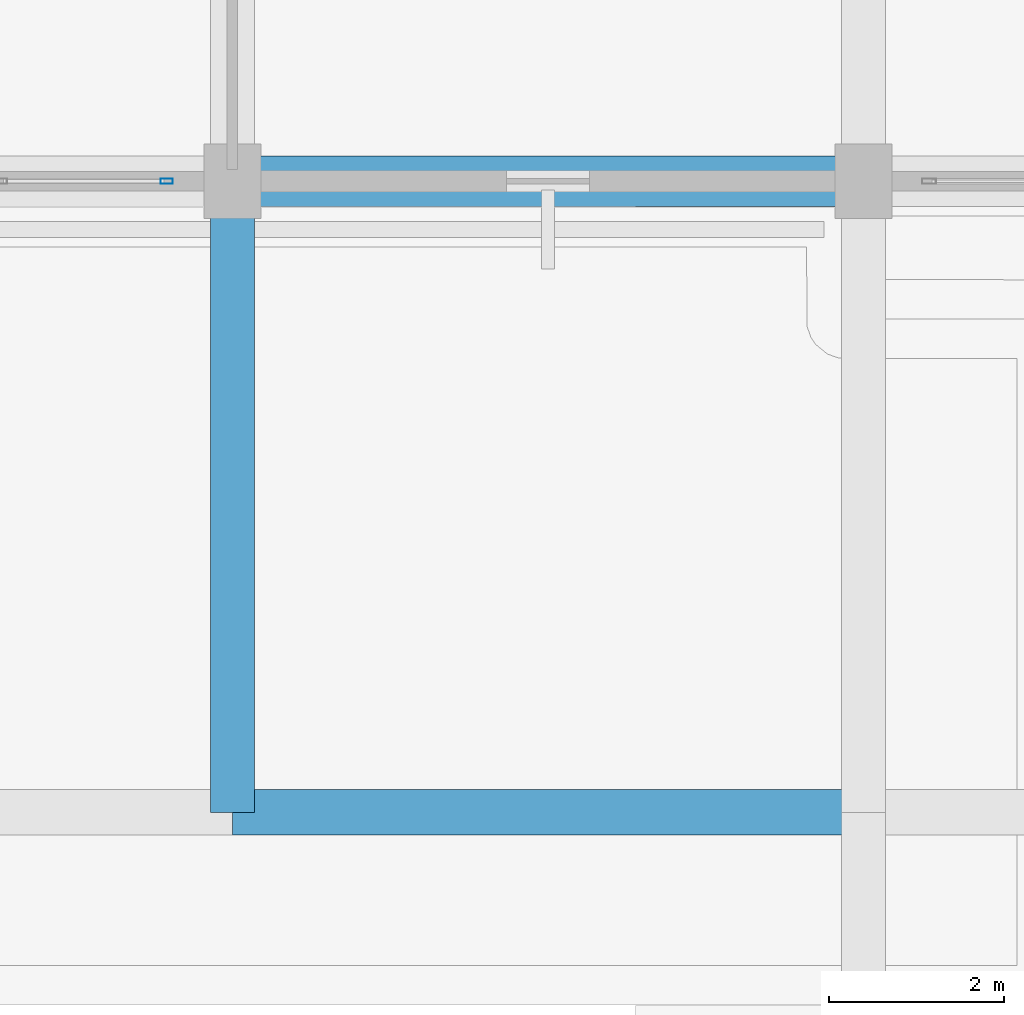
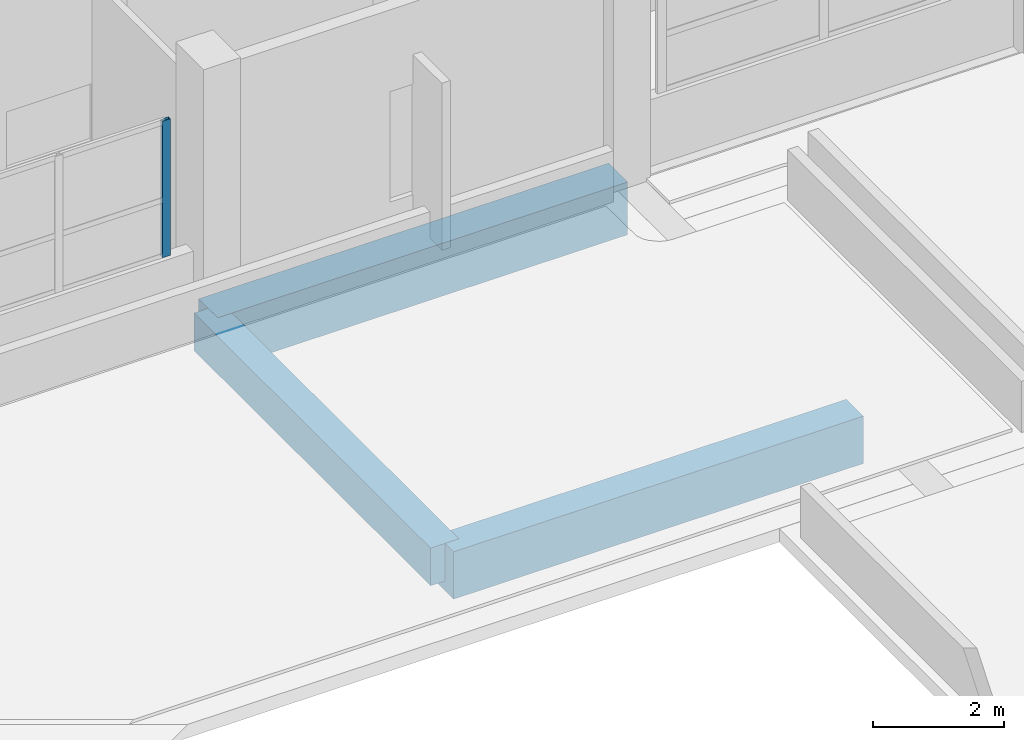
# One storey, part 96 of 140: 3 beams, 1 member, 1 element without a shape of its own.
"""IFC4 building model written with IfcOpenShell, lengths in metres."""

import ifcopenshell
import ifcopenshell.guid

model = None  # the IFC model being written
_history = None  # IfcOwnerHistory: only IFC2X3 demands one
_inside = {}  # id of a spatial element -> (the spatial element, [elements in it])
_under = {}  # id of a project, library or spatial element -> (it, [spatial elements below it])
_declared = {}  # id of a project -> (the project, [libraries it declares])
_typed = {}  # id of a type object -> (the type object, [elements of that type])
_made_of = {}  # id of a material, layer set ... -> (it, [elements and type objects made of it])


def new_model(schema):
    """Start an empty IFC model of exactly this schema.

    Asked for "IFC4X3", IfcOpenShell would pick the latest addendum, in which some entities
    have other attributes; the version numbers below select the first issue.
    IFC2X3 requires an IfcOwnerHistory on every rooted entity: one is made here for all.
    """
    global model, _history
    if schema == "IFC4X3":
        model = ifcopenshell.file(schema_version=(4, 3, 0, 0))
    else:
        model = ifcopenshell.file(schema=schema)
    _inside.clear()
    _under.clear()
    _declared.clear()
    _typed.clear()
    _made_of.clear()
    _history = None
    if model.schema == "IFC2X3":
        org = make("IfcOrganization", Name="unknown")
        user = make(
            "IfcPersonAndOrganization",
            ThePerson=make("IfcPerson", FamilyName="unknown"),
            TheOrganization=org,
        )
        app = make(
            "IfcApplication",
            ApplicationDeveloper=org,
            Version="unknown",
            ApplicationFullName="unknown",
            ApplicationIdentifier="unknown",
        )
        _history = make(
            "IfcOwnerHistory",
            OwningUser=user,
            OwningApplication=app,
            ChangeAction="ADDED",
            CreationDate=0,
        )
    return model


def make(cls, **values):
    """One entity of the class cls with the attributes given. An attribute that is None is left unset."""
    return model.create_entity(
        cls, **{name: value for name, value in values.items() if value is not None}
    )


def rooted(cls, **values):
    """An entity with a GlobalId (a new one), such as an element, a storey or a relation."""
    return make(cls, GlobalId=ifcopenshell.guid.new(), OwnerHistory=_history, **values)


def si_unit(unit_type, name, prefix=None):
    """IfcSIUnit, for example si_unit("LENGTHUNIT", "METRE", prefix="MILLI")."""
    return make("IfcSIUnit", UnitType=unit_type, Prefix=prefix, Name=name)


def assignment(units):
    """IfcUnitAssignment: the units of a project."""
    return None if units is None else make("IfcUnitAssignment", Units=units)


def point(xyz):
    """IfcCartesianPoint."""
    return None if xyz is None else make("IfcCartesianPoint", Coordinates=xyz)


def direction(xyz):
    """IfcDirection."""
    return None if xyz is None else make("IfcDirection", DirectionRatios=xyz)


def frame(location, z_axis=None, x_axis=None):
    """IfcAxis2Placement3D, a coordinate frame: its origin and axes. An axis left out is left unset."""
    return make(
        "IfcAxis2Placement3D",
        Location=point(location),
        Axis=direction(z_axis),
        RefDirection=direction(x_axis),
    )


def frame_2d(location, x_axis=None):
    """IfcAxis2Placement2D, a coordinate frame in the plane: its origin and x axis."""
    return make(
        "IfcAxis2Placement2D", Location=point(location), RefDirection=direction(x_axis)
    )


def origin():
    """The frame at (0, 0, 0) with its axes left unset."""
    return frame((0.0, 0.0, 0.0))


def origin_2d():
    """The frame at (0, 0) in the plane with its x axis left unset."""
    return frame_2d((0.0, 0.0))


def place(relative_to, where):
    """IfcLocalPlacement: puts the frame where relative to a parent placement (None: the world)."""
    return make(
        "IfcLocalPlacement", PlacementRelTo=relative_to, RelativePlacement=where
    )


def context(
    kind, dimensions, precision=None, world=None, true_north=None, identifier=None
):
    """IfcGeometricRepresentationContext, for example the 3D "Model" context."""
    return make(
        "IfcGeometricRepresentationContext",
        ContextIdentifier=identifier,
        ContextType=kind,
        CoordinateSpaceDimension=dimensions,
        Precision=precision,
        WorldCoordinateSystem=world,
        TrueNorth=true_north,
    )


def subcontext(parent, identifier, kind, view, scale=None):
    """IfcGeometricRepresentationSubContext, for example "Body" below "Model"."""
    return make(
        "IfcGeometricRepresentationSubContext",
        ContextIdentifier=identifier,
        ContextType=kind,
        ParentContext=parent,
        TargetScale=scale,
        TargetView=view,
    )


def project(units=None, contexts=None):
    """IfcProject with its units and contexts."""
    return rooted(
        "IfcProject",
        Name="project",
        RepresentationContexts=contexts,
        UnitsInContext=assignment(units),
    )


def spatial(cls, under=None, at=None, **own):
    """A site, building, storey or space (cls), placed at a placement, below another one or the project."""
    s = rooted(cls, ObjectPlacement=at, **own)
    if under is not None:
        _under.setdefault(under.id(), (under, []))[1].append(s)
    return s


def profile(cls, at=None, kind="AREA", **sizes):
    """A parametric profile (cls). Its sizes go by their IFC names, for example OverallWidth=200.0."""
    return make(cls, ProfileType=kind, Position=at, **sizes)


def rectangle(**sizes):
    """IfcRectangleProfileDef."""
    return profile("IfcRectangleProfileDef", **sizes)


def hollow_rectangle(**sizes):
    """IfcRectangleHollowProfileDef."""
    return profile("IfcRectangleHollowProfileDef", **sizes)


def extrude(swept, where, along, depth):
    """IfcExtrudedAreaSolid: the profile swept, set in the frame where, extruded along a direction by depth."""
    return make(
        "IfcExtrudedAreaSolid",
        SweptArea=swept,
        Position=where,
        ExtrudedDirection=direction(along),
        Depth=depth,
    )


def shape(context_of_items, identifier, shape_type, items):
    """IfcShapeRepresentation: the items that make up one representation, for example the "Body"."""
    return make(
        "IfcShapeRepresentation",
        ContextOfItems=context_of_items,
        RepresentationIdentifier=identifier,
        RepresentationType=shape_type,
        Items=items,
    )


def material(Name=None, Category=None):
    """IfcMaterial."""
    return make("IfcMaterial", Name=Name, Category=Category)


def layer(
    of_material, thickness, ventilated=None, Name=None, Category=None, Priority=None
):
    """IfcMaterialLayer: one layer of a wall or slab, of a material (None: an air gap)."""
    return make(
        "IfcMaterialLayer",
        Material=of_material,
        LayerThickness=thickness,
        IsVentilated=ventilated,
        Name=Name,
        Category=Category,
        Priority=Priority,
    )


def layer_set(layers, Name=None):
    """IfcMaterialLayerSet."""
    return make("IfcMaterialLayerSet", MaterialLayers=layers, LayerSetName=Name)


def material_profile(
    of_material, cross_section, Name=None, Category=None, Priority=None
):
    """IfcMaterialProfile: a cross section and its material."""
    return make(
        "IfcMaterialProfile",
        Name=Name,
        Material=of_material,
        Profile=cross_section,
        Priority=Priority,
        Category=Category,
    )


def profile_set(profiles, Name=None, composite=None):
    """IfcMaterialProfileSet."""
    return make(
        "IfcMaterialProfileSet",
        Name=Name,
        MaterialProfiles=profiles,
        CompositeProfile=composite,
    )


def made_of(thing, what):
    """Note that an element or type object is made of a material, layer set ...; save() writes the relation."""
    if what is not None:
        _made_of.setdefault(what.id(), (what, []))[1].append(thing)
    return thing


def type_object(cls, material=None, **own):
    """A type object (cls), such as IfcWallType, which elements share."""
    return made_of(rooted(cls, **own), material)


def element(
    cls,
    number,
    at=None,
    inside=None,
    cuts=None,
    type_object=None,
    material=None,
    context=None,
    identifier="Body",
    shape_type=None,
    held_by="IfcProductDefinitionShape",
    body=None,
    shapes=None,
    **own,
):
    """One element of the class cls, such as IfcWall. Its Tag is "e" and its number.

    at: its placement. inside: the storey or other place that contains it. cuts: it is an
    opening in that element (IfcRelVoidsElement). A single representation is given by context,
    identifier, shape_type and body (its items); several are given by shapes. held_by: the class
    of the entity that holds the representations. save() writes the other relations.
    """
    e = rooted(cls, Tag="e%d" % number, ObjectPlacement=at, **own)
    if body is not None:
        shapes = [shape(context, identifier, shape_type, body)]
    if shapes is not None:
        e.Representation = make(held_by, Representations=shapes)
    if inside is not None:
        _inside.setdefault(inside.id(), (inside, []))[1].append(e)
    if cuts is not None:
        rooted(
            "IfcRelVoidsElement", RelatingBuildingElement=cuts, RelatedOpeningElement=e
        )
    if type_object is not None:
        _typed.setdefault(type_object.id(), (type_object, []))[1].append(e)
    return made_of(e, material)


def aggregate(whole, parts):
    """IfcRelAggregates: a whole, such as a stair, and the parts it consists of."""
    return rooted("IfcRelAggregates", RelatingObject=whole, RelatedObjects=parts)


def save(model, path):
    """Write the relations noted so far, then the file.

    IfcRelAggregates (storeys below a building ...), IfcRelContainedInSpatialStructure (elements
    in a storey), IfcRelDefinesByType, IfcRelAssociatesMaterial and IfcRelDeclares: one each for
    every whole, place, type object, material and project.
    """
    for whole, parts in _under.values():
        aggregate(whole, parts)
    for where, things in _inside.values():
        rooted(
            "IfcRelContainedInSpatialStructure",
            RelatedElements=things,
            RelatingStructure=where,
        )
    for kind, things in _typed.values():
        rooted("IfcRelDefinesByType", RelatedObjects=things, RelatingType=kind)
    for what, things in _made_of.values():
        rooted("IfcRelAssociatesMaterial", RelatedObjects=things, RelatingMaterial=what)
    for by, libraries in _declared.values():
        rooted("IfcRelDeclares", RelatingContext=by, RelatedDefinitions=libraries)
    model.write(path)


model = new_model("IFC4")

# Units and contexts
model_context = context("Model", 3, precision=1e-05, world=origin(), true_north=direction((0.0, 1.0)))
body_context = subcontext(model_context, "Body", "Model", "MODEL_VIEW")
ifc_project = project(units=[si_unit("LENGTHUNIT", "METRE"), si_unit("AREAUNIT", "SQUARE_METRE"), si_unit("VOLUMEUNIT", "CUBIC_METRE"), si_unit("PLANEANGLEUNIT", "RADIAN"), si_unit("MASSUNIT", "GRAM", prefix="KILO")], contexts=[model_context])

# Site, building, storey
site_placement = place(None, origin())
site = spatial("IfcSite", under=ifc_project, at=site_placement, CompositionType="ELEMENT")
building_placement = place(site_placement, origin())
building = spatial("IfcBuilding", under=site, at=building_placement, Name="Seraya Terrace Polytechnic", CompositionType="ELEMENT")
storey_placement = place(building_placement, frame((0.0, 0.0, 9.60009765625)))
storey = spatial("IfcBuildingStorey", under=building, at=storey_placement, Name="L02", CompositionType="ELEMENT", Elevation=9.60009765625)

# Beams
ifc_material_1 = material(Name="Concrete C40/50", Category="concrete")
ifc_material_profile_1 = material_profile(ifc_material_1, rectangle(XDim=0.580078125, YDim=0.97998046875, at=origin_2d()), Name="RC 580x980")
ifc_profile_set_1 = profile_set([ifc_material_profile_1], Name="Concrete C40/50")
beam_type_1 = type_object("IfcBeamType", Name="BM-02", PredefinedType="BEAM", material=ifc_profile_set_1)
beam_1_placement = place(storey_placement, frame((136.800048828125, 79.199951171875, -0.489990234375), z_axis=(1.0, 0.0, 0.0), x_axis=(0.0, 1.0, 0.0)))
element("IfcBeam", 1, at=beam_1_placement, inside=storey, type_object=beam_type_1, Name="Beam BM-02 L02 X (136.8..144.0, 79.2)", PredefinedType="BEAM", context=body_context, shape_type="SweptSolid", body=[
    extrude(rectangle(XDim=0.580078125, YDim=0.97998046875, at=origin_2d()), origin(), (0.0, 0.0, 1.0), 7.199951171875),
])
ifc_material_profile_2 = material_profile(ifc_material_1, rectangle(XDim=0.52001953125, YDim=0.8798828125, at=origin_2d()), Name="RC 520x880")
ifc_profile_set_2 = profile_set([ifc_material_profile_2], Name="Concrete C40/50")
beam_type_2 = type_object("IfcBeamType", Name="BM-04", PredefinedType="BEAM", material=ifc_profile_set_2)
beam_2_placement = place(storey_placement, frame((136.800048828125, 72.0, -0.440185546875), z_axis=(1.0, 0.0, 0.0), x_axis=(0.0, 1.0, 0.0)))
element("IfcBeam", 2, at=beam_2_placement, inside=storey, type_object=beam_type_2, Name="Beam BM-04 L02 X (136.8..144.0, 72.0)", PredefinedType="BEAM", context=body_context, shape_type="SweptSolid", body=[
    extrude(rectangle(XDim=0.52001953125, YDim=0.8798828125, at=origin_2d()), origin(), (0.0, 0.0, 1.0), 7.199951171875),
])
ifc_material_profile_3 = material_profile(ifc_material_1, rectangle(XDim=0.5, YDim=0.699951171875, at=origin_2d()), Name="RC 500x700")
ifc_profile_set_3 = profile_set([ifc_material_profile_3], Name="Concrete C40/50")
beam_type_3 = type_object("IfcBeamType", Name="BM-07", PredefinedType="BEAM", material=ifc_profile_set_3)
beam_3_placement = place(storey_placement, frame((136.800048828125, 72.0, -0.35009765625), z_axis=(0.0, 1.0, 0.0), x_axis=(-1.0, 0.0, 0.0)))
element("IfcBeam", 3, at=beam_3_placement, inside=storey, type_object=beam_type_3, Name="Beam BM-07 L02 Y (136.8, 72.0..79.2)", PredefinedType="BEAM", context=body_context, shape_type="SweptSolid", body=[
    extrude(rectangle(XDim=0.5, YDim=0.699951171875, at=origin_2d()), origin(), (0.0, 0.0, 1.0), 7.199951171875),
])

# Curtain wall, member
ifc_material_2 = material(Name="Anodised aluminium EN AW-6063 T6", Category="aluminium")
ifc_layer = layer(ifc_material_2, 0.179931640625, Name="CW-21")
ifc_layer_set = layer_set([ifc_layer], Name="Anodised aluminium EN AW-6063 T6")
curtain_wall_type = type_object("IfcCurtainWallType", Name="CW-21", PredefinedType="NOTDEFINED", material=ifc_layer_set)
curtain_wall_placement = place(storey_placement, origin())
curtain_wall = element("IfcCurtainWall", 4, at=curtain_wall_placement, inside=storey, type_object=curtain_wall_type, Name="Unitised curtain wall CW-21 (CW-L02-093)", PredefinedType="NOTDEFINED")
ifc_material_profile_4 = material_profile(ifc_material_2, hollow_rectangle(XDim=0.06005859375, YDim=0.139892578125, WallThickness=0.00341796875, at=origin_2d()), Name="RHS 140x60x3.5")
ifc_profile_set_4 = profile_set([ifc_material_profile_4], Name="Anodised aluminium EN AW-6063 T6")
member_type = type_object("IfcMemberType", Name="CWM-03", PredefinedType="MULLION", material=ifc_profile_set_4)
member_placement = place(storey_placement, frame((136.050048828125, 79.199951171875, 1.239990234375), z_axis=(0.0, 0.0, 1.0), x_axis=(0.0, -1.0, 0.0)))
member = element("IfcMember", 5, at=member_placement, type_object=member_type, Name="CW-21 mullion 1", PredefinedType="MULLION", context=body_context, shape_type="SweptSolid", body=[
    extrude(hollow_rectangle(XDim=0.06005859375, YDim=0.139892578125, WallThickness=0.00341796875, at=origin_2d()), origin(), (0.0, 0.0, 1.0), 2.539794921875),
])
aggregate(curtain_wall, [member])

save(model, "model.ifc")
